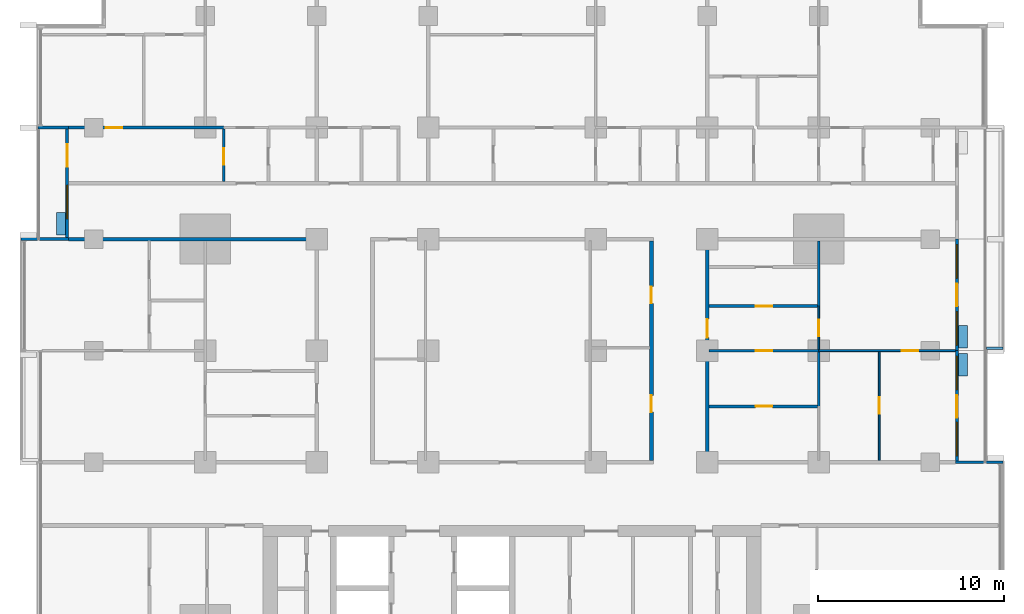
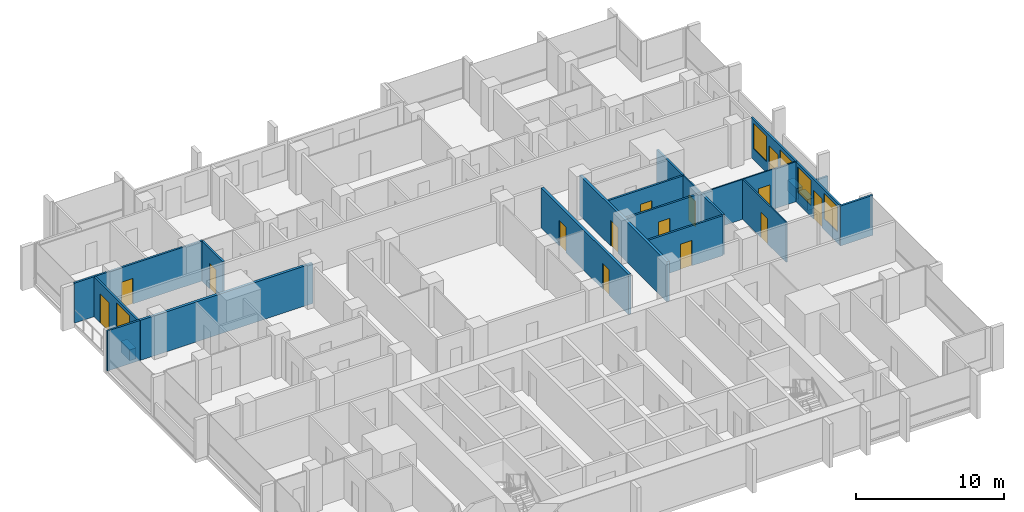
# One storey, part 10 of 18: 23 walls, 14 doors, 5 windows, 19 openings.
"""IFC4 building model written with IfcOpenShell, lengths in metres."""

from ifc_helpers import new_model, si_unit, direction, frame, frame_2d, origin, place, context, subcontext, project, spatial, rectangle, extrude, material, layer, layer_set, type_object, element, fill, save


model = new_model("IFC4")

# Units and contexts
model_context = context("Model", 3, precision=1e-05, world=origin(), true_north=direction((0.0, 1.0)))
body_context = subcontext(model_context, "Body", "Model", "MODEL_VIEW")
ifc_project = project(units=[si_unit("LENGTHUNIT", "METRE"), si_unit("AREAUNIT", "SQUARE_METRE"), si_unit("VOLUMEUNIT", "CUBIC_METRE"), si_unit("PLANEANGLEUNIT", "RADIAN"), si_unit("MASSUNIT", "GRAM", prefix="KILO")], contexts=[model_context])

# Site, building, storey
site_placement = place(None, origin())
site = spatial("IfcSite", under=ifc_project, at=site_placement, CompositionType="ELEMENT")
building_placement = place(site_placement, origin())
building = spatial("IfcBuilding", under=site, at=building_placement, Name="Finial Court Residences", CompositionType="ELEMENT")
storey_placement = place(building_placement, frame((0.0, 0.0, 109.89990234375)))
storey = spatial("IfcBuildingStorey", under=building, at=storey_placement, Name="L27", CompositionType="ELEMENT", Elevation=109.89990234375)

# Wall
ifc_material_1 = material(Name="Gypsum board")
ifc_layer_1 = layer(ifc_material_1, 0.02490234375)
ifc_material_2 = material(Name="Acoustic mineral wool in double frame")
ifc_layer_2 = layer(ifc_material_2, 0.14990234375)
ifc_layer_3 = layer(ifc_material_1, 0.02490234375)
ifc_layer_set_1 = layer_set([ifc_layer_1, ifc_layer_2, ifc_layer_3], Name="Corridor wall 200, 1 hour")
wall_type_1 = type_object("IfcWallType", Name="Corridor wall 200, 1 hour", PredefinedType="PARTITIONING", material=ifc_layer_set_1)
wall_1_placement = place(storey_placement, frame((-23.85009765625, 7.5, 0.0), z_axis=(0.0, 0.0, 1.0), x_axis=(1.0, 0.0, 0.0)))
element("IfcWall", 1, at=wall_1_placement, inside=storey, type_object=wall_type_1, Name="Partition L27-024", PredefinedType="PARTITIONING", context=body_context, shape_type="SweptSolid", body=[
    extrude(rectangle(XDim=13.4501953125, YDim=0.199951171875, at=frame_2d((6.72509765625, 0.0))), origin(), (0.0, 0.0, 1.0), 3.300048828125),
])

# Wall, openings, doors
wall_2_placement = place(storey_placement, frame((7.5, -4.39990234375, 0.0), z_axis=(0.0, 0.0, 1.0), x_axis=(0.0, 1.0, 0.0)))
wall_2 = element("IfcWall", 2, at=wall_2_placement, inside=storey, type_object=wall_type_1, Name="Partition L27-073", PredefinedType="PARTITIONING", context=body_context, shape_type="SweptSolid", body=[
    extrude(rectangle(XDim=11.7998046875, YDim=0.199951171875, at=frame_2d((5.89990234375, 0.0))), origin(), (0.0, 0.0, 1.0), 3.300048828125),
])
opening_1_placement = place(wall_2_placement, frame((2.60009765625, 0.0, 0.0)))
opening_1 = element("IfcOpeningElement", 3, at=opening_1_placement, cuts=wall_2, Name="Opening L27-D047", PredefinedType="OPENING", context=body_context, shape_type="SweptSolid", body=[
    extrude(rectangle(XDim=0.89990234375, YDim=2.10009765625, at=frame_2d((0.449951171875, 1.050048828125))), frame((0.0, 0.10986328125, 0.0), z_axis=(0.0, -1.0, 0.0), x_axis=(1.0, 0.0, 0.0)), (0.0, 0.0, 1.0), 0.219970703125),
])
opening_2_placement = place(wall_2_placement, frame((8.449951171875, 0.0, 0.0)))
opening_2 = element("IfcOpeningElement", 4, at=opening_2_placement, cuts=wall_2, Name="Opening L27-D048", PredefinedType="OPENING", context=body_context, shape_type="SweptSolid", body=[
    extrude(rectangle(XDim=0.89990234375, YDim=2.10009765625, at=frame_2d((0.449951171875, 1.050048828125))), frame((0.0, 0.10986328125, 0.0), z_axis=(0.0, -1.0, 0.0), x_axis=(1.0, 0.0, 0.0)), (0.0, 0.0, 1.0), 0.219970703125),
])
ifc_material_3 = material(Name="Timber door leaf in hollow metal frame", Category="wood")
door_type_1 = type_object("IfcDoorType", Name="Fire door set 900 x 2100, 30 minutes", OperationType="SINGLE_SWING_LEFT", PredefinedType="DOOR", material=ifc_material_3)
door_1_placement = place(opening_1_placement, origin())
door_1 = element("IfcDoor", 5, at=door_1_placement, inside=storey, type_object=door_type_1, Name="Door L27-D047", OperationType="SINGLE_SWING_RIGHT", OverallHeight=2.10009765625, OverallWidth=0.89990234375, PredefinedType="DOOR", context=body_context, shape_type="SweptSolid", body=[
    extrude(rectangle(XDim=0.89990234375, YDim=2.10009765625, at=frame_2d((0.449951171875, 1.050048828125))), frame((0.0, 0.02490234375, 0.0), z_axis=(0.0, -1.0, 0.0), x_axis=(1.0, 0.0, 0.0)), (0.0, 0.0, 1.0), 0.050048828125),
])
fill(opening_1, door_1)
door_2_placement = place(opening_2_placement, origin())
door_2 = element("IfcDoor", 6, at=door_2_placement, inside=storey, type_object=door_type_1, Name="Door L27-D048", OperationType="SINGLE_SWING_LEFT", OverallHeight=2.10009765625, OverallWidth=0.89990234375, PredefinedType="DOOR", context=body_context, shape_type="SweptSolid", body=[
    extrude(rectangle(XDim=0.89990234375, YDim=2.10009765625, at=frame_2d((0.449951171875, 1.050048828125))), frame((0.0, 0.02490234375, 0.0), z_axis=(0.0, -1.0, 0.0), x_axis=(1.0, 0.0, 0.0)), (0.0, 0.0, 1.0), 0.050048828125),
])
fill(opening_2, door_2)

# Wall, opening, door
wall_3_placement = place(storey_placement, frame((10.5, -4.39990234375, 0.0), z_axis=(0.0, 0.0, 1.0), x_axis=(0.0, 1.0, 0.0)))
wall_3 = element("IfcWall", 7, at=wall_3_placement, inside=storey, type_object=wall_type_1, Name="Partition L27-075", PredefinedType="PARTITIONING", context=body_context, shape_type="SweptSolid", body=[
    extrude(rectangle(XDim=11.7998046875, YDim=0.199951171875, at=frame_2d((5.89990234375, 0.0))), origin(), (0.0, 0.0, 1.0), 3.300048828125),
])
opening_3_placement = place(wall_3_placement, frame((6.60009765625, 0.0, 0.0)))
opening_3 = element("IfcOpeningElement", 8, at=opening_3_placement, cuts=wall_3, Name="Opening L27-D050", PredefinedType="OPENING", context=body_context, shape_type="SweptSolid", body=[
    extrude(rectangle(XDim=1.0, YDim=2.10009765625, at=frame_2d((0.5, 1.050048828125))), frame((0.0, 0.10986328125, 0.0), z_axis=(0.0, -1.0, 0.0), x_axis=(1.0, 0.0, 0.0)), (0.0, 0.0, 1.0), 0.219970703125),
])
door_type_2 = type_object("IfcDoorType", Name="Fire door set 1000 x 2100, 30 minutes", OperationType="SINGLE_SWING_LEFT", PredefinedType="DOOR", material=ifc_material_3)
door_3_placement = place(opening_3_placement, origin())
door_3 = element("IfcDoor", 9, at=door_3_placement, inside=storey, type_object=door_type_2, Name="Door L27-D050", OperationType="SINGLE_SWING_RIGHT", OverallHeight=2.10009765625, OverallWidth=1.0, PredefinedType="DOOR", context=body_context, shape_type="SweptSolid", body=[
    extrude(rectangle(XDim=1.0, YDim=2.10009765625, at=frame_2d((0.5, 1.050048828125))), frame((0.0, 0.02490234375, 0.0), z_axis=(0.0, -1.0, 0.0), x_axis=(1.0, 0.0, 0.0)), (0.0, 0.0, 1.0), 0.050048828125),
])
fill(opening_3, door_3)

ifc_layer_4 = layer(ifc_material_1, 0.012451171875)
ifc_material_4 = material(Name="Mineral wool in light-gauge frame")
ifc_layer_5 = layer(ifc_material_4, 0.074951171875)
ifc_layer_6 = layer(ifc_material_1, 0.012451171875)
ifc_layer_set_2 = layer_set([ifc_layer_4, ifc_layer_5, ifc_layer_6], Name="Gypsum board partition 100")
wall_type_2 = type_object("IfcWallType", Name="Gypsum board partition 100", PredefinedType="PARTITIONING", material=ifc_layer_set_2)
wall_4_placement = place(storey_placement, frame((16.5, 1.5, 0.0), z_axis=(0.0, 0.0, 1.0), x_axis=(1.0, 0.0, 0.0)))
wall_4 = element("IfcWall", 10, at=wall_4_placement, inside=storey, type_object=wall_type_2, Name="Partition L27-017", PredefinedType="PARTITIONING", context=body_context, shape_type="SweptSolid", body=[
    extrude(rectangle(XDim=7.35009765625, YDim=0.10009765625, at=frame_2d((3.675048828125, 0.0))), origin(), (0.0, 0.0, 1.0), 3.300048828125),
])
opening_4_placement = place(wall_4_placement, frame((4.449951171875, 0.0, 0.0)))
opening_4 = element("IfcOpeningElement", 11, at=opening_4_placement, cuts=wall_4, Name="Opening L27-D013", PredefinedType="OPENING", context=body_context, shape_type="SweptSolid", body=[
    extrude(rectangle(XDim=0.89990234375, YDim=2.10009765625, at=frame_2d((0.449951171875, 1.050048828125))), frame((0.0, 0.06005859375, 0.0), z_axis=(0.0, -1.0, 0.0), x_axis=(1.0, 0.0, 0.0)), (0.0, 0.0, 1.0), 0.1201171875),
])
ifc_material_5 = material(Name="Timber door leaf in timber frame", Category="wood")
door_type_3 = type_object("IfcDoorType", Name="Door set 900 x 2100", OperationType="SINGLE_SWING_LEFT", PredefinedType="DOOR", material=ifc_material_5)
door_4_placement = place(opening_4_placement, origin())
door_4 = element("IfcDoor", 12, at=door_4_placement, inside=storey, type_object=door_type_3, Name="Door L27-D013", OperationType="SINGLE_SWING_RIGHT", OverallHeight=2.10009765625, OverallWidth=0.89990234375, PredefinedType="DOOR", context=body_context, shape_type="SweptSolid", body=[
    extrude(rectangle(XDim=0.89990234375, YDim=2.10009765625, at=frame_2d((0.449951171875, 1.050048828125))), frame((0.0, 0.02490234375, 0.0), z_axis=(0.0, -1.0, 0.0), x_axis=(1.0, 0.0, 0.0)), (0.0, 0.0, 1.0), 0.050048828125),
])
fill(opening_4, door_4)

wall_5_placement = place(storey_placement, frame((16.5, 1.574951171875, 0.0), z_axis=(0.0, 0.0, 1.0), x_axis=(0.0, 1.0, 0.0)))
wall_5 = element("IfcWall", 13, at=wall_5_placement, inside=storey, type_object=wall_type_2, Name="Partition L27-083", PredefinedType="PARTITIONING", context=body_context, shape_type="SweptSolid", body=[
    extrude(rectangle(XDim=2.324951171875, YDim=0.10009765625, at=frame_2d((1.16259765625, 0.0))), origin(), (0.0, 0.0, 1.0), 3.300048828125),
])
opening_5_placement = place(wall_5_placement, frame((0.699951171875, 0.0, 0.0)))
opening_5 = element("IfcOpeningElement", 14, at=opening_5_placement, cuts=wall_5, Name="Opening L27-D053", PredefinedType="OPENING", context=body_context, shape_type="SweptSolid", body=[
    extrude(rectangle(XDim=0.89990234375, YDim=2.10009765625, at=frame_2d((0.449951171875, 1.050048828125))), frame((0.0, 0.06005859375, 0.0), z_axis=(0.0, -1.0, 0.0), x_axis=(1.0, 0.0, 0.0)), (0.0, 0.0, 1.0), 0.1201171875),
])
door_5_placement = place(opening_5_placement, origin())
door_5 = element("IfcDoor", 15, at=door_5_placement, inside=storey, type_object=door_type_3, Name="Door L27-D053", OperationType="SINGLE_SWING_RIGHT", OverallHeight=2.10009765625, OverallWidth=0.89990234375, PredefinedType="DOOR", context=body_context, shape_type="SweptSolid", body=[
    extrude(rectangle(XDim=0.89990234375, YDim=2.10009765625, at=frame_2d((0.449951171875, 1.050048828125))), frame((0.0, 0.02490234375, 0.0), z_axis=(0.0, -1.0, 0.0), x_axis=(1.0, 0.0, 0.0)), (0.0, 0.0, 1.0), 0.050048828125),
])
fill(opening_5, door_5)

wall_6_placement = place(storey_placement, frame((19.75, -4.39990234375, 0.0), z_axis=(0.0, 0.0, 1.0), x_axis=(0.0, 1.0, 0.0)))
wall_6 = element("IfcWall", 16, at=wall_6_placement, inside=storey, type_object=wall_type_2, Name="Partition L27-090", PredefinedType="PARTITIONING", context=body_context, shape_type="SweptSolid", body=[
    extrude(rectangle(XDim=5.849853515625, YDim=0.10009765625, at=frame_2d((2.9248046875, 0.0))), origin(), (0.0, 0.0, 1.0), 3.300048828125),
])
opening_6_placement = place(wall_6_placement, frame((2.5, 0.0, 0.0)))
opening_6 = element("IfcOpeningElement", 17, at=opening_6_placement, cuts=wall_6, Name="Opening L27-D058", PredefinedType="OPENING", context=body_context, shape_type="SweptSolid", body=[
    extrude(rectangle(XDim=0.89990234375, YDim=2.10009765625, at=frame_2d((0.449951171875, 1.050048828125))), frame((0.0, 0.06005859375, 0.0), z_axis=(0.0, -1.0, 0.0), x_axis=(1.0, 0.0, 0.0)), (0.0, 0.0, 1.0), 0.1201171875),
])
door_6_placement = place(opening_6_placement, origin())
door_6 = element("IfcDoor", 18, at=door_6_placement, inside=storey, type_object=door_type_3, Name="Door L27-D058", OperationType="SINGLE_SWING_RIGHT", OverallHeight=2.10009765625, OverallWidth=0.89990234375, PredefinedType="DOOR", context=body_context, shape_type="SweptSolid", body=[
    extrude(rectangle(XDim=0.89990234375, YDim=2.10009765625, at=frame_2d((0.449951171875, 1.050048828125))), frame((0.0, 0.02490234375, 0.0), z_axis=(0.0, -1.0, 0.0), x_axis=(1.0, 0.0, 0.0)), (0.0, 0.0, 1.0), 0.050048828125),
])
fill(opening_6, door_6)

ifc_material_6 = material(Name="Moisture-resistant gypsum board")
ifc_layer_7 = layer(ifc_material_6, 0.012451171875)
ifc_layer_8 = layer(ifc_material_4, 0.125)
ifc_layer_9 = layer(ifc_material_6, 0.012451171875)
ifc_layer_set_3 = layer_set([ifc_layer_7, ifc_layer_8, ifc_layer_9], Name="Gypsum board wet-area partition 150")
wall_type_3 = type_object("IfcWallType", Name="Gypsum board wet-area partition 150", PredefinedType="PARTITIONING", material=ifc_layer_set_3)
wall_7_placement = place(storey_placement, frame((10.60009765625, -1.5, 0.0), z_axis=(0.0, 0.0, 1.0), x_axis=(1.0, 0.0, 0.0)))
wall_7 = element("IfcWall", 19, at=wall_7_placement, inside=storey, type_object=wall_type_3, Name="Partition L27-013", PredefinedType="PARTITIONING", context=body_context, shape_type="SweptSolid", body=[
    extrude(rectangle(XDim=5.824951171875, YDim=0.14990234375, at=frame_2d((2.91259765625, 0.0))), origin(), (0.0, 0.0, 1.0), 3.300048828125),
])
opening_7_placement = place(wall_7_placement, frame((2.5, 0.0, 0.0)))
opening_7 = element("IfcOpeningElement", 20, at=opening_7_placement, cuts=wall_7, Name="Opening L27-D010", PredefinedType="OPENING", context=body_context, shape_type="SweptSolid", body=[
    extrude(rectangle(XDim=0.89990234375, YDim=2.10009765625, at=frame_2d((0.449951171875, 1.050048828125))), frame((0.0, 0.0849609375, 0.0), z_axis=(0.0, -1.0, 0.0), x_axis=(1.0, 0.0, 0.0)), (0.0, 0.0, 1.0), 0.169921875),
])
door_7_placement = place(opening_7_placement, origin())
door_7 = element("IfcDoor", 21, at=door_7_placement, inside=storey, type_object=door_type_3, Name="Door L27-D010", OperationType="SINGLE_SWING_RIGHT", OverallHeight=2.10009765625, OverallWidth=0.89990234375, PredefinedType="DOOR", context=body_context, shape_type="SweptSolid", body=[
    extrude(rectangle(XDim=0.89990234375, YDim=2.10009765625, at=frame_2d((0.449951171875, 1.050048828125))), frame((0.0, 0.02490234375, 0.0), z_axis=(0.0, -1.0, 0.0), x_axis=(1.0, 0.0, 0.0)), (0.0, 0.0, 1.0), 0.050048828125),
])
fill(opening_7, door_7)

wall_8_placement = place(storey_placement, frame((10.60009765625, 1.5, 0.0), z_axis=(0.0, 0.0, 1.0), x_axis=(1.0, 0.0, 0.0)))
wall_8 = element("IfcWall", 22, at=wall_8_placement, inside=storey, type_object=wall_type_3, Name="Partition L27-019", PredefinedType="PARTITIONING", context=body_context, shape_type="SweptSolid", body=[
    extrude(rectangle(XDim=5.89990234375, YDim=0.14990234375, at=frame_2d((2.949951171875, 0.0))), origin(), (0.0, 0.0, 1.0), 3.300048828125),
])
opening_8_placement = place(wall_8_placement, frame((2.5, 0.0, 0.0)))
opening_8 = element("IfcOpeningElement", 23, at=opening_8_placement, cuts=wall_8, Name="Opening L27-D014", PredefinedType="OPENING", context=body_context, shape_type="SweptSolid", body=[
    extrude(rectangle(XDim=0.89990234375, YDim=2.10009765625, at=frame_2d((0.449951171875, 1.050048828125))), frame((0.0, 0.0849609375, 0.0), z_axis=(0.0, -1.0, 0.0), x_axis=(1.0, 0.0, 0.0)), (0.0, 0.0, 1.0), 0.169921875),
])
door_8_placement = place(opening_8_placement, origin())
door_8 = element("IfcDoor", 24, at=door_8_placement, inside=storey, type_object=door_type_3, Name="Door L27-D014", OperationType="SINGLE_SWING_RIGHT", OverallHeight=2.10009765625, OverallWidth=0.89990234375, PredefinedType="DOOR", context=body_context, shape_type="SweptSolid", body=[
    extrude(rectangle(XDim=0.89990234375, YDim=2.10009765625, at=frame_2d((0.449951171875, 1.050048828125))), frame((0.0, 0.02490234375, 0.0), z_axis=(0.0, -1.0, 0.0), x_axis=(1.0, 0.0, 0.0)), (0.0, 0.0, 1.0), 0.050048828125),
])
fill(opening_8, door_8)

wall_9_placement = place(storey_placement, frame((10.60009765625, 3.89990234375, 0.0), z_axis=(0.0, 0.0, 1.0), x_axis=(1.0, 0.0, 0.0)))
wall_9 = element("IfcWall", 25, at=wall_9_placement, inside=storey, type_object=wall_type_3, Name="Partition L27-021", PredefinedType="PARTITIONING", context=body_context, shape_type="SweptSolid", body=[
    extrude(rectangle(XDim=5.824951171875, YDim=0.14990234375, at=frame_2d((2.91259765625, 0.0))), origin(), (0.0, 0.0, 1.0), 3.300048828125),
])
opening_9_placement = place(wall_9_placement, frame((2.5, 0.0, 0.0)))
opening_9 = element("IfcOpeningElement", 26, at=opening_9_placement, cuts=wall_9, Name="Opening L27-D015", PredefinedType="OPENING", context=body_context, shape_type="SweptSolid", body=[
    extrude(rectangle(XDim=0.89990234375, YDim=2.10009765625, at=frame_2d((0.449951171875, 1.050048828125))), frame((0.0, 0.0849609375, 0.0), z_axis=(0.0, -1.0, 0.0), x_axis=(1.0, 0.0, 0.0)), (0.0, 0.0, 1.0), 0.169921875),
])
door_9_placement = place(opening_9_placement, origin())
door_9 = element("IfcDoor", 27, at=door_9_placement, inside=storey, type_object=door_type_3, Name="Door L27-D015", OperationType="SINGLE_SWING_LEFT", OverallHeight=2.10009765625, OverallWidth=0.89990234375, PredefinedType="DOOR", context=body_context, shape_type="SweptSolid", body=[
    extrude(rectangle(XDim=0.89990234375, YDim=2.10009765625, at=frame_2d((0.449951171875, 1.050048828125))), frame((0.0, 0.02490234375, 0.0), z_axis=(0.0, -1.0, 0.0), x_axis=(1.0, 0.0, 0.0)), (0.0, 0.0, 1.0), 0.050048828125),
])
fill(opening_9, door_9)

wall_10_placement = place(storey_placement, frame((-23.85009765625, 13.5, 0.0), z_axis=(0.0, 0.0, 1.0), x_axis=(1.0, 0.0, 0.0)))
wall_10 = element("IfcWall", 28, at=wall_10_placement, inside=storey, type_object=wall_type_3, Name="Partition L27-032", PredefinedType="PARTITIONING", context=body_context, shape_type="SweptSolid", body=[
    extrude(rectangle(XDim=8.35009765625, YDim=0.14990234375, at=frame_2d((4.175048828125, 0.0))), origin(), (0.0, 0.0, 1.0), 3.300048828125),
])
opening_10_placement = place(wall_10_placement, frame((2.0, 0.0, 0.0)))
opening_10 = element("IfcOpeningElement", 29, at=opening_10_placement, cuts=wall_10, Name="Opening L27-D026", PredefinedType="OPENING", context=body_context, shape_type="SweptSolid", body=[
    extrude(rectangle(XDim=0.89990234375, YDim=2.10009765625, at=frame_2d((0.449951171875, 1.050048828125))), frame((0.0, 0.0849609375, 0.0), z_axis=(0.0, -1.0, 0.0), x_axis=(1.0, 0.0, 0.0)), (0.0, 0.0, 1.0), 0.169921875),
])
door_10_placement = place(opening_10_placement, origin())
door_10 = element("IfcDoor", 30, at=door_10_placement, inside=storey, type_object=door_type_3, Name="Door L27-D026", OperationType="SINGLE_SWING_RIGHT", OverallHeight=2.10009765625, OverallWidth=0.89990234375, PredefinedType="DOOR", context=body_context, shape_type="SweptSolid", body=[
    extrude(rectangle(XDim=0.89990234375, YDim=2.10009765625, at=frame_2d((0.449951171875, 1.050048828125))), frame((0.0, 0.02490234375, 0.0), z_axis=(0.0, -1.0, 0.0), x_axis=(1.0, 0.0, 0.0)), (0.0, 0.0, 1.0), 0.050048828125),
])
fill(opening_10, door_10)

wall_11_placement = place(storey_placement, frame((-15.5, 10.60009765625, 0.0), z_axis=(0.0, 0.0, 1.0), x_axis=(0.0, 1.0, 0.0)))
wall_11 = element("IfcWall", 31, at=wall_11_placement, inside=storey, type_object=wall_type_3, Name="Partition L27-058", PredefinedType="PARTITIONING", context=body_context, shape_type="SweptSolid", body=[
    extrude(rectangle(XDim=2.824951171875, YDim=0.14990234375, at=frame_2d((1.41259765625, 0.0))), origin(), (0.0, 0.0, 1.0), 3.300048828125),
])
opening_11_placement = place(wall_11_placement, frame((0.89990234375, 0.0, 0.0)))
opening_11 = element("IfcOpeningElement", 32, at=opening_11_placement, cuts=wall_11, Name="Opening L27-D041", PredefinedType="OPENING", context=body_context, shape_type="SweptSolid", body=[
    extrude(rectangle(XDim=0.89990234375, YDim=2.10009765625, at=frame_2d((0.449951171875, 1.050048828125))), frame((0.0, 0.0849609375, 0.0), z_axis=(0.0, -1.0, 0.0), x_axis=(1.0, 0.0, 0.0)), (0.0, 0.0, 1.0), 0.169921875),
])
door_11_placement = place(opening_11_placement, origin())
door_11 = element("IfcDoor", 33, at=door_11_placement, inside=storey, type_object=door_type_3, Name="Door L27-D041", OperationType="SINGLE_SWING_RIGHT", OverallHeight=2.10009765625, OverallWidth=0.89990234375, PredefinedType="DOOR", context=body_context, shape_type="SweptSolid", body=[
    extrude(rectangle(XDim=0.89990234375, YDim=2.10009765625, at=frame_2d((0.449951171875, 1.050048828125))), frame((0.0, 0.02490234375, 0.0), z_axis=(0.0, -1.0, 0.0), x_axis=(1.0, 0.0, 0.0)), (0.0, 0.0, 1.0), 0.050048828125),
])
fill(opening_11, door_11)

# Walls
wall_12_placement = place(storey_placement, frame((16.5, -1.5, 0.0), z_axis=(0.0, 0.0, 1.0), x_axis=(0.0, 1.0, 0.0)))
element("IfcWall", 34, at=wall_12_placement, inside=storey, type_object=wall_type_3, Name="Partition L27-085", PredefinedType="PARTITIONING", context=body_context, shape_type="SweptSolid", body=[
    extrude(rectangle(XDim=2.925048828125, YDim=0.14990234375, at=frame_2d((1.46240234375, 0.0))), origin(), (0.0, 0.0, 1.0), 3.300048828125),
])
wall_13_placement = place(storey_placement, frame((16.5, 3.89990234375, 0.0), z_axis=(0.0, 0.0, 1.0), x_axis=(0.0, 1.0, 0.0)))
element("IfcWall", 35, at=wall_13_placement, inside=storey, type_object=wall_type_3, Name="Partition L27-086", PredefinedType="PARTITIONING", context=body_context, shape_type="SweptSolid", body=[
    extrude(rectangle(XDim=3.5, YDim=0.14990234375, at=frame_2d((1.75, 0.0))), origin(), (0.0, 0.0, 1.0), 3.300048828125),
])
ifc_material_7 = material(Name="Concrete C35/45", Category="concrete")
ifc_layer_10 = layer(ifc_material_7, 0.14990234375)
ifc_layer_set_4 = layer_set([ifc_layer_10], Name="Ledge parapet, Concrete C35/45 150")
wall_type_4 = type_object("IfcWallType", Name="Ledge parapet, Concrete C35/45 150", PredefinedType="PARAPET", material=ifc_layer_set_4)
wall_14_placement = place(storey_placement, frame((26.39990234375, 1.625, 0.0), z_axis=(0.0, 0.0, 1.0), x_axis=(-1.0, 0.0, 0.0)))
element("IfcWall", 36, at=wall_14_placement, inside=storey, type_object=wall_type_4, Name="E-L27-LED2-P1", PredefinedType="PARAPET", context=body_context, shape_type="SweptSolid", body=[
    extrude(rectangle(XDim=0.889892578125, YDim=0.14990234375, at=frame_2d((0.44482421875, 0.0))), origin(), (0.0, 0.0, 1.0), 1.150146484375),
])
ifc_material_8 = material(Name="Natural limestone", Category="masonry")
ifc_layer_11 = layer(ifc_material_8, 0.14990234375)
ifc_layer_set_5 = layer_set([ifc_layer_11], Name="Limestone clad wall 150")
wall_type_5 = type_object("IfcWallType", Name="Limestone clad wall 150", PredefinedType="SOLIDWALL", material=ifc_layer_set_5)
wall_15_placement = place(storey_placement, frame((23.85009765625, -4.5, 0.0), z_axis=(0.0, 0.0, 1.0), x_axis=(1.0, 0.0, 0.0)))
element("IfcWall", 37, at=wall_15_placement, inside=storey, type_object=wall_type_5, Name="E-L27-BALE3-P1", PredefinedType="SOLIDWALL", context=body_context, shape_type="SweptSolid", body=[
    extrude(rectangle(XDim=2.5498046875, YDim=0.14990234375, at=frame_2d((1.27490234375, 0.0))), origin(), (0.0, 0.0, 1.0), 3.300048828125),
])

# Wall, openings, door, windows
wall_16_placement = place(storey_placement, frame((23.925048828125, 1.5, 0.0), z_axis=(0.0, 0.0, 1.0), x_axis=(0.0, -1.0, 0.0)))
wall_16 = element("IfcWall", 38, at=wall_16_placement, inside=storey, type_object=wall_type_5, Name="E-L27-L27-BALE3-W", PredefinedType="SOLIDWALL", context=body_context, shape_type="SweptSolid", body=[
    extrude(rectangle(XDim=5.925048828125, YDim=0.14990234375, at=frame_2d((2.96240234375, 0.0))), origin(), (0.0, 0.0, 1.0), 3.300048828125),
])
opening_12_placement = place(wall_16_placement, frame((2.39990234375, 0.0, 0.0)))
opening_12 = element("IfcOpeningElement", 39, at=opening_12_placement, cuts=wall_16, Name="Opening DE27-04", PredefinedType="OPENING", context=body_context, shape_type="SweptSolid", body=[
    extrude(rectangle(XDim=1.199951171875, YDim=2.39990234375, at=frame_2d((0.60009765625, 1.199951171875))), frame((0.0, 0.0849609375, 0.0), z_axis=(0.0, -1.0, 0.0), x_axis=(1.0, 0.0, 0.0)), (0.0, 0.0, 1.0), 0.169921875),
])
opening_13_placement = place(wall_16_placement, frame((3.862548828125, 0.0, 0.89990234375)))
opening_13 = element("IfcOpeningElement", 40, at=opening_13_placement, cuts=wall_16, Name="Opening WE27-15", PredefinedType="OPENING", context=body_context, shape_type="SweptSolid", body=[
    extrude(rectangle(XDim=1.800048828125, YDim=2.10009765625, at=frame_2d((0.89990234375, 1.050048828125))), frame((0.0, 0.0849609375, 0.0), z_axis=(0.0, -1.0, 0.0), x_axis=(1.0, 0.0, 0.0)), (0.0, 0.0, 1.0), 0.169921875),
])
opening_14_placement = place(wall_16_placement, frame((0.300048828125, 0.0, 0.89990234375)))
opening_14 = element("IfcOpeningElement", 41, at=opening_14_placement, cuts=wall_16, Name="Opening WE27-16", PredefinedType="OPENING", context=body_context, shape_type="SweptSolid", body=[
    extrude(rectangle(XDim=1.800048828125, YDim=2.10009765625, at=frame_2d((0.89990234375, 1.050048828125))), frame((0.0, 0.0849609375, 0.0), z_axis=(0.0, -1.0, 0.0), x_axis=(1.0, 0.0, 0.0)), (0.0, 0.0, 1.0), 0.169921875),
])
ifc_material_9 = material(Name="Bronze anodised aluminium", Category="aluminium")
door_type_4 = type_object("IfcDoorType", Name="Balcony door 1200 x 2400", OperationType="SINGLE_SWING_LEFT", PredefinedType="DOOR", material=ifc_material_9)
door_12_placement = place(opening_12_placement, origin())
door_12 = element("IfcDoor", 42, at=door_12_placement, inside=storey, type_object=door_type_4, Name="E-L27-L27-BALE3-W-D", OperationType="SINGLE_SWING_RIGHT", OverallHeight=2.39990234375, OverallWidth=1.199951171875, PredefinedType="DOOR", context=body_context, shape_type="SweptSolid", body=[
    extrude(rectangle(XDim=1.199951171875, YDim=2.39990234375, at=frame_2d((0.60009765625, 1.199951171875))), frame((0.0, 0.02490234375, 0.0), z_axis=(0.0, -1.0, 0.0), x_axis=(1.0, 0.0, 0.0)), (0.0, 0.0, 1.0), 0.050048828125),
])
fill(opening_12, door_12)
ifc_material_10 = material(Name="Clear low-e glass", Category="glass")
window_type = type_object("IfcWindowType", Name="Balcony window 1800 x 2100", PartitioningType="SINGLE_PANEL", PredefinedType="WINDOW", material=ifc_material_10)
window_1_placement = place(opening_13_placement, origin())
window_1 = element("IfcWindow", 43, at=window_1_placement, inside=storey, type_object=window_type, Name="E-L27-L27-BALE3-W-W1", OverallHeight=2.10009765625, OverallWidth=1.800048828125, PartitioningType="SINGLE_PANEL", PredefinedType="WINDOW", context=body_context, shape_type="SweptSolid", body=[
    extrude(rectangle(XDim=1.800048828125, YDim=2.10009765625, at=frame_2d((0.89990234375, 1.050048828125))), frame((0.0, 0.030029296875, 0.0), z_axis=(0.0, -1.0, 0.0), x_axis=(1.0, 0.0, 0.0)), (0.0, 0.0, 1.0), 0.06005859375),
])
fill(opening_13, window_1)
window_2_placement = place(opening_14_placement, origin())
window_2 = element("IfcWindow", 44, at=window_2_placement, inside=storey, type_object=window_type, Name="E-L27-L27-BALE3-W-W2", OverallHeight=2.10009765625, OverallWidth=1.800048828125, PartitioningType="SINGLE_PANEL", PredefinedType="WINDOW", context=body_context, shape_type="SweptSolid", body=[
    extrude(rectangle(XDim=1.800048828125, YDim=2.10009765625, at=frame_2d((0.89990234375, 1.050048828125))), frame((0.0, 0.030029296875, 0.0), z_axis=(0.0, -1.0, 0.0), x_axis=(1.0, 0.0, 0.0)), (0.0, 0.0, 1.0), 0.06005859375),
])
fill(opening_14, window_2)

wall_17_placement = place(storey_placement, frame((23.925048828125, 7.5, 0.0), z_axis=(0.0, 0.0, 1.0), x_axis=(0.0, -1.0, 0.0)))
wall_17 = element("IfcWall", 45, at=wall_17_placement, inside=storey, type_object=wall_type_5, Name="E-L27-L27-BALE4-W", PredefinedType="SOLIDWALL", context=body_context, shape_type="SweptSolid", body=[
    extrude(rectangle(XDim=6.0, YDim=0.14990234375, at=frame_2d((3.0, 0.0))), origin(), (0.0, 0.0, 1.0), 3.300048828125),
])
opening_15_placement = place(wall_17_placement, frame((2.39990234375, 0.0, 0.0)))
opening_15 = element("IfcOpeningElement", 46, at=opening_15_placement, cuts=wall_17, Name="Opening DE27-05", PredefinedType="OPENING", context=body_context, shape_type="SweptSolid", body=[
    extrude(rectangle(XDim=1.199951171875, YDim=2.39990234375, at=frame_2d((0.60009765625, 1.199951171875))), frame((0.0, 0.0849609375, 0.0), z_axis=(0.0, -1.0, 0.0), x_axis=(1.0, 0.0, 0.0)), (0.0, 0.0, 1.0), 0.169921875),
])
opening_16_placement = place(wall_17_placement, frame((3.89990234375, 0.0, 0.89990234375)))
opening_16 = element("IfcOpeningElement", 47, at=opening_16_placement, cuts=wall_17, Name="Opening WE27-17", PredefinedType="OPENING", context=body_context, shape_type="SweptSolid", body=[
    extrude(rectangle(XDim=1.800048828125, YDim=2.10009765625, at=frame_2d((0.89990234375, 1.050048828125))), frame((0.0, 0.0849609375, 0.0), z_axis=(0.0, -1.0, 0.0), x_axis=(1.0, 0.0, 0.0)), (0.0, 0.0, 1.0), 0.169921875),
])
opening_17_placement = place(wall_17_placement, frame((0.300048828125, 0.0, 0.89990234375)))
opening_17 = element("IfcOpeningElement", 48, at=opening_17_placement, cuts=wall_17, Name="Opening WE27-18", PredefinedType="OPENING", context=body_context, shape_type="SweptSolid", body=[
    extrude(rectangle(XDim=1.800048828125, YDim=2.10009765625, at=frame_2d((0.89990234375, 1.050048828125))), frame((0.0, 0.0849609375, 0.0), z_axis=(0.0, -1.0, 0.0), x_axis=(1.0, 0.0, 0.0)), (0.0, 0.0, 1.0), 0.169921875),
])
door_13_placement = place(opening_15_placement, origin())
door_13 = element("IfcDoor", 49, at=door_13_placement, inside=storey, type_object=door_type_4, Name="E-L27-L27-BALE4-W-D", OperationType="SINGLE_SWING_LEFT", OverallHeight=2.39990234375, OverallWidth=1.199951171875, PredefinedType="DOOR", context=body_context, shape_type="SweptSolid", body=[
    extrude(rectangle(XDim=1.199951171875, YDim=2.39990234375, at=frame_2d((0.60009765625, 1.199951171875))), frame((0.0, 0.02490234375, 0.0), z_axis=(0.0, -1.0, 0.0), x_axis=(1.0, 0.0, 0.0)), (0.0, 0.0, 1.0), 0.050048828125),
])
fill(opening_15, door_13)
window_3_placement = place(opening_16_placement, origin())
window_3 = element("IfcWindow", 50, at=window_3_placement, inside=storey, type_object=window_type, Name="E-L27-L27-BALE4-W-W1", OverallHeight=2.10009765625, OverallWidth=1.800048828125, PartitioningType="SINGLE_PANEL", PredefinedType="WINDOW", context=body_context, shape_type="SweptSolid", body=[
    extrude(rectangle(XDim=1.800048828125, YDim=2.10009765625, at=frame_2d((0.89990234375, 1.050048828125))), frame((0.0, 0.030029296875, 0.0), z_axis=(0.0, -1.0, 0.0), x_axis=(1.0, 0.0, 0.0)), (0.0, 0.0, 1.0), 0.06005859375),
])
fill(opening_16, window_3)
window_4_placement = place(opening_17_placement, origin())
window_4 = element("IfcWindow", 51, at=window_4_placement, inside=storey, type_object=window_type, Name="E-L27-L27-BALE4-W-W2", OverallHeight=2.10009765625, OverallWidth=1.800048828125, PartitioningType="SINGLE_PANEL", PredefinedType="WINDOW", context=body_context, shape_type="SweptSolid", body=[
    extrude(rectangle(XDim=1.800048828125, YDim=2.10009765625, at=frame_2d((0.89990234375, 1.050048828125))), frame((0.0, 0.030029296875, 0.0), z_axis=(0.0, -1.0, 0.0), x_axis=(1.0, 0.0, 0.0)), (0.0, 0.0, 1.0), 0.06005859375),
])
fill(opening_17, window_4)

# Walls
wall_18_placement = place(storey_placement, frame((-23.85009765625, 7.5, 0.0), z_axis=(0.0, 0.0, 1.0), x_axis=(-1.0, 0.0, 0.0)))
element("IfcWall", 52, at=wall_18_placement, inside=storey, type_object=wall_type_5, Name="E-L27-BALW5-P1", PredefinedType="SOLIDWALL", context=body_context, shape_type="SweptSolid", body=[
    extrude(rectangle(XDim=2.5498046875, YDim=0.14990234375, at=frame_2d((1.27490234375, 0.0))), origin(), (0.0, 0.0, 1.0), 3.300048828125),
])
wall_19_placement = place(storey_placement, frame((-23.85009765625, 13.5, 0.0), z_axis=(0.0, 0.0, 1.0), x_axis=(-1.0, 0.0, 0.0)))
element("IfcWall", 53, at=wall_19_placement, inside=storey, type_object=wall_type_5, Name="E-L27-BALW5-P2", PredefinedType="SOLIDWALL", context=body_context, shape_type="SweptSolid", body=[
    extrude(rectangle(XDim=1.64990234375, YDim=0.14990234375, at=frame_2d((0.824951171875, 0.0))), origin(), (0.0, 0.0, 1.0), 3.300048828125),
])

# Wall, openings, door, window
wall_20_placement = place(storey_placement, frame((-23.925048828125, 7.574951171875, 0.0), z_axis=(0.0, 0.0, 1.0), x_axis=(0.0, 1.0, 0.0)))
wall_20 = element("IfcWall", 54, at=wall_20_placement, inside=storey, type_object=wall_type_5, Name="E-L27-L27-BALW5-W", PredefinedType="SOLIDWALL", context=body_context, shape_type="SweptSolid", body=[
    extrude(rectangle(XDim=5.85009765625, YDim=0.14990234375, at=frame_2d((2.925048828125, 0.0))), origin(), (0.0, 0.0, 1.0), 3.300048828125),
])
opening_18_placement = place(wall_20_placement, frame((3.824951171875, 0.0, 0.0)))
opening_18 = element("IfcOpeningElement", 55, at=opening_18_placement, cuts=wall_20, Name="Opening DE27-07", PredefinedType="OPENING", context=body_context, shape_type="SweptSolid", body=[
    extrude(rectangle(XDim=1.199951171875, YDim=2.39990234375, at=frame_2d((0.60009765625, 1.199951171875))), frame((0.0, 0.0849609375, 0.0), z_axis=(0.0, -1.0, 0.0), x_axis=(1.0, 0.0, 0.0)), (0.0, 0.0, 1.0), 0.169921875),
])
opening_19_placement = place(wall_20_placement, frame((1.012451171875, 0.0, 0.89990234375)))
opening_19 = element("IfcOpeningElement", 56, at=opening_19_placement, cuts=wall_20, Name="Opening WE27-20", PredefinedType="OPENING", context=body_context, shape_type="SweptSolid", body=[
    extrude(rectangle(XDim=1.800048828125, YDim=2.10009765625, at=frame_2d((0.89990234375, 1.050048828125))), frame((0.0, 0.0849609375, 0.0), z_axis=(0.0, -1.0, 0.0), x_axis=(1.0, 0.0, 0.0)), (0.0, 0.0, 1.0), 0.169921875),
])
door_14_placement = place(opening_18_placement, origin())
door_14 = element("IfcDoor", 57, at=door_14_placement, inside=storey, type_object=door_type_4, Name="E-L27-L27-BALW5-W-D", OperationType="SINGLE_SWING_LEFT", OverallHeight=2.39990234375, OverallWidth=1.199951171875, PredefinedType="DOOR", context=body_context, shape_type="SweptSolid", body=[
    extrude(rectangle(XDim=1.199951171875, YDim=2.39990234375, at=frame_2d((0.60009765625, 1.199951171875))), frame((0.0, 0.02490234375, 0.0), z_axis=(0.0, -1.0, 0.0), x_axis=(1.0, 0.0, 0.0)), (0.0, 0.0, 1.0), 0.050048828125),
])
fill(opening_18, door_14)
window_5_placement = place(opening_19_placement, origin())
window_5 = element("IfcWindow", 58, at=window_5_placement, inside=storey, type_object=window_type, Name="E-L27-L27-BALW5-W-W1", OverallHeight=2.10009765625, OverallWidth=1.800048828125, PartitioningType="SINGLE_PANEL", PredefinedType="WINDOW", context=body_context, shape_type="SweptSolid", body=[
    extrude(rectangle(XDim=1.800048828125, YDim=2.10009765625, at=frame_2d((0.89990234375, 1.050048828125))), frame((0.0, 0.030029296875, 0.0), z_axis=(0.0, -1.0, 0.0), x_axis=(1.0, 0.0, 0.0)), (0.0, 0.0, 1.0), 0.06005859375),
])
fill(opening_19, window_5)

# Walls
ifc_material_11 = material(Name="Concrete C40/50", Category="concrete")
ifc_layer_12 = layer(ifc_material_11, 0.10009765625)
ifc_material_12 = material(Name="Planting soil", Category="soil")
ifc_layer_13 = layer(ifc_material_12, 0.300048828125)
ifc_layer_14 = layer(ifc_material_11, 0.10009765625)
ifc_layer_set_6 = layer_set([ifc_layer_12, ifc_layer_13, ifc_layer_14], Name="Planter wall, balcony")
wall_type_6 = type_object("IfcWallType", Name="Planter wall, balcony", PredefinedType="USERDEFINED", material=ifc_layer_set_6)
for number, where, z_axis, x_axis, name in (
    (59, (24.25, 0.14990234375, 0.0), (0.0, 0.0, 1.0), (0.0, 1.0, 0.0), "E-L27-BALE3-PL"),
    (60, (24.25, 1.64990234375, 0.0), (0.0, 0.0, 1.0), (0.0, 1.0, 0.0), "E-L27-BALE4-PL"),
):
    element("IfcWall", number, at=place(storey_placement, frame(where, z_axis=z_axis, x_axis=x_axis)), inside=storey, type_object=wall_type_6, Name=name, ObjectType="PLANTER", PredefinedType="USERDEFINED", context=body_context, shape_type="SweptSolid", body=[
        extrude(rectangle(XDim=1.2001953125, YDim=0.5, at=frame_2d((0.60009765625, 0.0))), origin(), (0.0, 0.0, 1.0), 0.900146484375),
    ])
wall_21_placement = place(storey_placement, frame((-24.25, 7.72509765625, 0.0), z_axis=(0.0, 0.0, 1.0), x_axis=(0.0, 1.0, 0.0)))
element("IfcWall", 61, at=wall_21_placement, inside=storey, type_object=wall_type_6, Name="E-L27-BALW5-PL", ObjectType="PLANTER", PredefinedType="USERDEFINED", context=body_context, shape_type="SweptSolid", body=[
    extrude(rectangle(XDim=1.199951171875, YDim=0.5, at=frame_2d((0.60009765625, 0.0))), origin(), (0.0, 0.0, 1.0), 0.900146484375),
])

save(model, "model.ifc")
